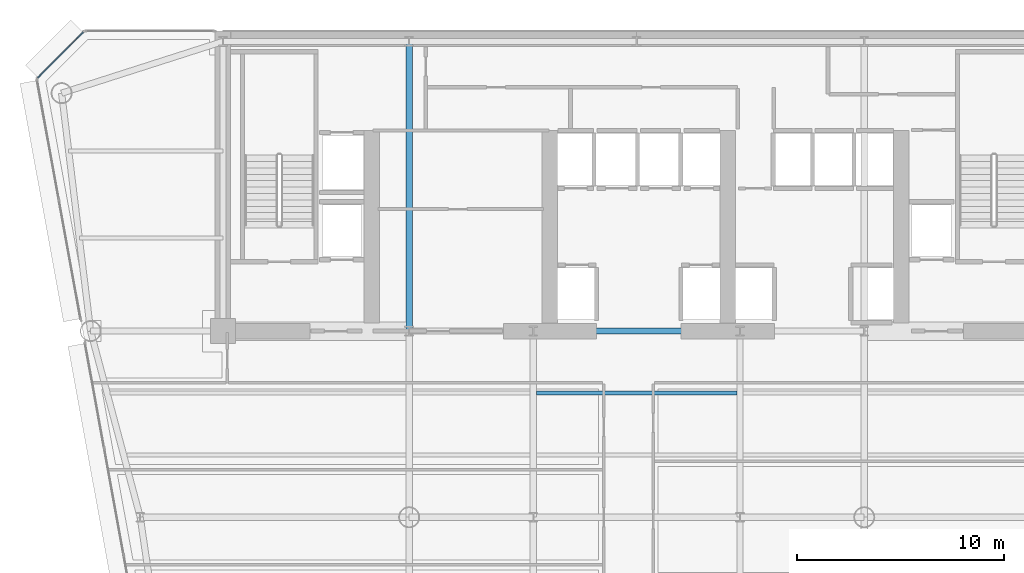
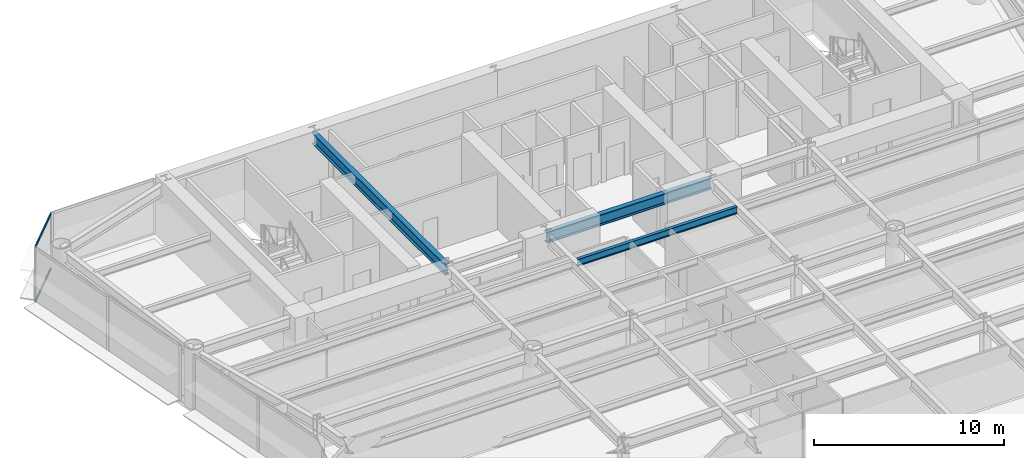
# One storey, part 7 of 17: 3 beams, 2 members, 1 element without a shape of its own.
"""IFC4 building model written with IfcOpenShell, lengths in metres."""

from ifc_helpers import new_model, si_unit, direction, frame, origin, origin_2d, place, context, subcontext, project, spatial, rectangle, i_section, extrude, source, transform, mapped, material, layer, layer_set, material_profile, profile_set, type_object, element, aggregate, save


model = new_model("IFC4")

# Units and contexts
model_context = context("Model", 3, precision=1e-05, world=origin(), true_north=direction((0.0, 1.0)))
body_context = subcontext(model_context, "Body", "Model", "MODEL_VIEW")
ifc_project = project(units=[si_unit("LENGTHUNIT", "METRE"), si_unit("AREAUNIT", "SQUARE_METRE"), si_unit("VOLUMEUNIT", "CUBIC_METRE"), si_unit("PLANEANGLEUNIT", "RADIAN"), si_unit("MASSUNIT", "GRAM", prefix="KILO")], contexts=[model_context])

# Site, building, storey
site_placement = place(None, origin())
site = spatial("IfcSite", under=ifc_project, at=site_placement, CompositionType="ELEMENT")
building_placement = place(site_placement, origin())
building = spatial("IfcBuilding", under=site, at=building_placement, Name="Vaeldorn Concourse Tower", CompositionType="ELEMENT")
storey_placement = place(building_placement, frame((0.0, 0.0, 153.800048828125)))
storey = spatial("IfcBuildingStorey", under=building, at=storey_placement, Name="L39", CompositionType="ELEMENT", Elevation=153.800048828125)

# Beams
ifc_material_1 = material(Name="Steel S355", Category="steel")
ifc_material_profile_1 = material_profile(ifc_material_1, i_section(OverallWidth=0.300048828125, OverallDepth=0.699951171875, WebThickness=0.01708984375, FlangeThickness=0.031982421875, FilletRadius=0.027099609375, at=origin_2d()), Name="HEB 700")
ifc_profile_set_1 = profile_set([ifc_material_profile_1], Name="Steel S355")
beam_type_1 = type_object("IfcBeamType", Name="BM-PG-HEB700", PredefinedType="BEAM", material=ifc_profile_set_1)
shared_shape_1 = source(origin(), body_context, "Body", "SweptSolid", [
    extrude(i_section(OverallWidth=0.300048828125, OverallDepth=0.699951171875, WebThickness=0.01708984375, FlangeThickness=0.031982421875, FilletRadius=0.027099609375, at=origin_2d()), origin(), (0.0, 0.0, 1.0), 10.0),
])
beam_1_placement = place(storey_placement, frame((29.0, 36.5, 3.22998046875), z_axis=(1.0, 0.0, 0.0), x_axis=(0.0, 1.0, 0.0)))
element("IfcBeam", 1, at=beam_1_placement, inside=storey, type_object=beam_type_1, Name="Beam BM-L39-C-FC3-C-FC4", PredefinedType="BEAM", context=body_context, shape_type="MappedRepresentation", body=[
    mapped(shared_shape_1, transform((0.0, 0.0, 0.0), scale=1.0)),
])
shared_shape_2 = source(origin(), body_context, "Body", "SweptSolid", [
    extrude(i_section(OverallWidth=0.300048828125, OverallDepth=0.699951171875, WebThickness=0.01708984375, FlangeThickness=0.031982421875, FilletRadius=0.027099609375, at=origin_2d()), origin(), (0.0, 0.0, 1.0), 14.0),
])
beam_2_placement = place(storey_placement, frame((23.0, 36.5, 3.22998046875), z_axis=(0.0, 1.0, 0.0), x_axis=(-1.0, 0.0, 0.0)))
element("IfcBeam", 2, at=beam_2_placement, inside=storey, type_object=beam_type_1, Name="Beam BM-L39-C-FC2-C-HC2", PredefinedType="BEAM", context=body_context, shape_type="MappedRepresentation", body=[
    mapped(shared_shape_2, transform((0.0, 0.0, 0.0), scale=1.0)),
])
ifc_material_profile_2 = material_profile(ifc_material_1, i_section(OverallWidth=0.18994140625, OverallDepth=0.449951171875, WebThickness=0.009521484375, FlangeThickness=0.0146484375, FilletRadius=0.02099609375, at=origin_2d()), Name="IPE 450")
ifc_profile_set_2 = profile_set([ifc_material_profile_2], Name="Steel S355")
beam_type_2 = type_object("IfcBeamType", Name="BM-JS-IPE450", PredefinedType="JOIST", material=ifc_profile_set_2)
shared_shape_3 = source(origin(), body_context, "Body", "SweptSolid", [
    extrude(i_section(OverallWidth=0.18994140625, OverallDepth=0.449951171875, WebThickness=0.009521484375, FlangeThickness=0.0146484375, FilletRadius=0.02099609375, at=origin_2d()), origin(), (0.0, 0.0, 1.0), 9.7001953125),
])
beam_3_placement = place(storey_placement, frame((29.14990234375, 33.5, 3.35498046875), z_axis=(1.0, 0.0, 0.0), x_axis=(0.0, 1.0, 0.0)))
element("IfcBeam", 3, at=beam_3_placement, inside=storey, type_object=beam_type_2, Name="Beam JS-L39-C-335", PredefinedType="JOIST", context=body_context, shape_type="MappedRepresentation", body=[
    mapped(shared_shape_3, transform((0.0, 0.0, 0.0), scale=1.0)),
])

# Curtain wall, members
ifc_material_2 = material(Name="Anodised Bronze Aluminium", Category="aluminium")
ifc_layer = layer(ifc_material_2, 0.18994140625)
ifc_layer_set = layer_set([ifc_layer], Name="Anodised Bronze Aluminium")
curtain_wall_type = type_object("IfcCurtainWallType", Name="CW-SYS-03", PredefinedType="NOTDEFINED", material=ifc_layer_set)
curtain_wall_placement = place(storey_placement, origin())
curtain_wall = element("IfcCurtainWall", 4, at=curtain_wall_placement, inside=storey, type_object=curtain_wall_type, Name="Unitised Curtain Wall CW-L39-E10-1", PredefinedType="NOTDEFINED")
ifc_material_profile_3 = material_profile(ifc_material_2, rectangle(XDim=0.06494140625, YDim=0.14990234375, at=origin_2d()), Name="CWT 65x150")
ifc_profile_set_3 = profile_set([ifc_material_profile_3], Name="Anodised Bronze Aluminium")
member_type = type_object("IfcMemberType", Name="CWT-BRONZE-150", PredefinedType="USERDEFINED", material=ifc_profile_set_3)
shared_shape_4 = source(origin(), body_context, "Body", "SweptSolid", [
    extrude(rectangle(XDim=0.06494140625, YDim=0.14990234375, at=origin_2d()), origin(), (0.0, 0.0, 1.0), 3.123046875),
])
member_1_placement = place(storey_placement, frame((7.254150390625, 50.9541015625, 0.032470703125), z_axis=(-0.707106781187, -0.707106781187, 0.0), x_axis=(0.707106781187, -0.707106781187, 0.0)))
member_1 = element("IfcMember", 5, at=member_1_placement, type_object=member_type, Name="CW-03 transom 1.1", ObjectType="TRANSOM", PredefinedType="USERDEFINED", context=body_context, shape_type="MappedRepresentation", body=[
    mapped(shared_shape_4, transform((0.0, 0.0, 0.0), scale=1.0)),
])
member_2_placement = place(storey_placement, frame((7.254150390625, 50.9541015625, 3.54736328125), z_axis=(-0.707106781187, -0.707106781187, 0.0), x_axis=(0.707106781187, -0.707106781187, 0.0)))
member_2 = element("IfcMember", 6, at=member_2_placement, type_object=member_type, Name="CW-03 transom 1.2", ObjectType="TRANSOM", PredefinedType="USERDEFINED", context=body_context, shape_type="MappedRepresentation", body=[
    mapped(shared_shape_4, transform((0.0, 0.0, 0.0), scale=1.0)),
])
aggregate(curtain_wall, [member_1, member_2])

save(model, "model.ifc")
